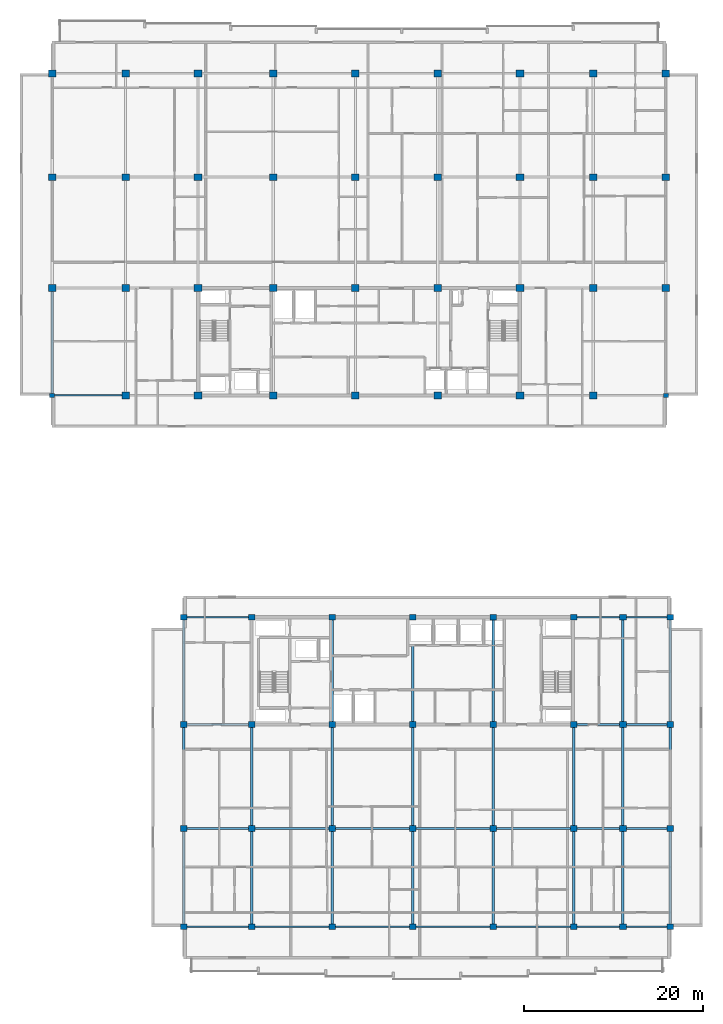
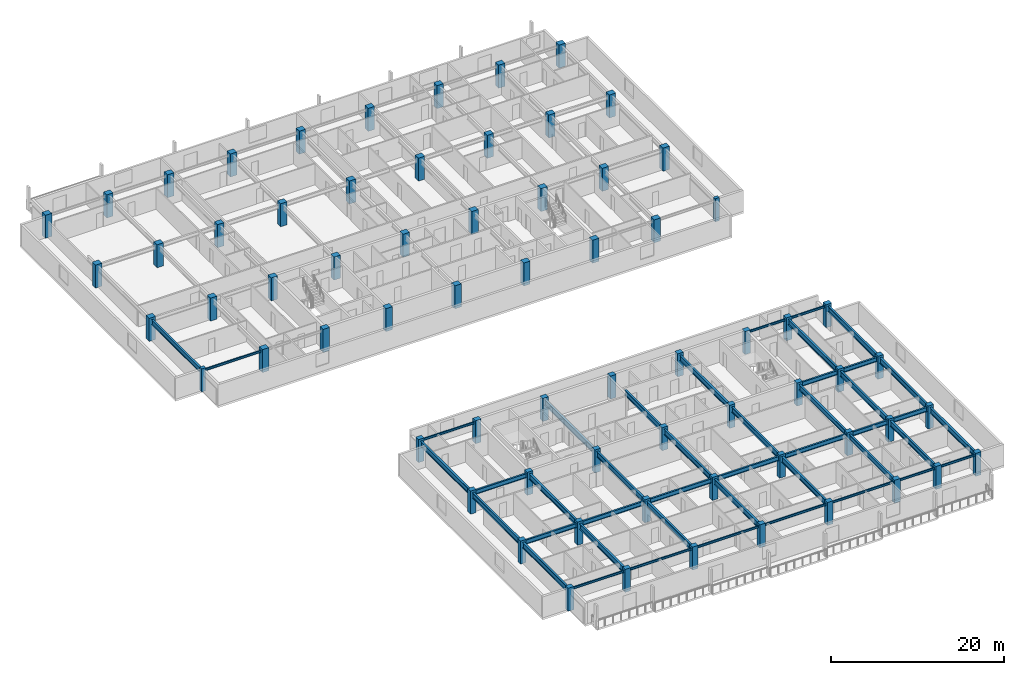
# One storey, part 1 of 21: 68 columns, 44 beams.
"""IFC4 building model written with IfcOpenShell, lengths in metres."""

from ifc_helpers import new_model, si_unit, direction, frame, origin, origin_2d, place, context, subcontext, project, spatial, rectangle, i_section, extrude, material, material_profile, profile_set, type_object, element, save


model = new_model("IFC4")

# Units and contexts
model_context = context("Model", 3, precision=1e-05, world=origin(), true_north=direction((0.0, 1.0)))
body_context = subcontext(model_context, "Body", "Model", "MODEL_VIEW")
ifc_project = project(units=[si_unit("LENGTHUNIT", "METRE"), si_unit("AREAUNIT", "SQUARE_METRE"), si_unit("VOLUMEUNIT", "CUBIC_METRE"), si_unit("PLANEANGLEUNIT", "RADIAN"), si_unit("MASSUNIT", "GRAM", prefix="KILO")], contexts=[model_context])

# Site, building, storey
site_placement = place(None, origin())
site = spatial("IfcSite", under=ifc_project, at=site_placement, CompositionType="ELEMENT")
building_placement = place(site_placement, origin())
building = spatial("IfcBuilding", under=site, at=building_placement, Name="Korimba Cascade Residences", CompositionType="ELEMENT")
storey_placement = place(building_placement, frame((0.0, 0.0, 184.85009765625)))
storey = spatial("IfcBuildingStorey", under=building, at=storey_placement, Name="L53", CompositionType="ELEMENT", Elevation=184.85009765625)

# Columns
ifc_material_1 = material(Name="Concrete C65/80", Category="concrete")
ifc_material_profile_1 = material_profile(ifc_material_1, rectangle(XDim=0.550048828125, YDim=0.449951171875, at=origin_2d()), Name="Concrete C65/80")
ifc_profile_set_1 = profile_set([ifc_material_profile_1], Name="Concrete C65/80")
column_type_1 = type_object("IfcColumnType", Name="COL-PIL-550", PredefinedType="PILASTER", material=ifc_profile_set_1)
for number, where, z_axis, x_axis, name in (
    (1, (59.800048828125, 55.199951171875, 0.0), (0.0, 0.0, 1.0), (1.0, 0.0, 0.0), "L53 Tower 1 Column 1.1"),
    (2, (128.39990234375, 55.199951171875, 0.0), (0.0, 0.0, 1.0), (1.0, 0.0, 0.0), "L53 Tower 1 Column 9.1"),
):
    element("IfcColumn", number, at=place(storey_placement, frame(where, z_axis=z_axis, x_axis=x_axis)), inside=storey, type_object=column_type_1, Name=name, PredefinedType="PILASTER", context=body_context, shape_type="SweptSolid", body=[
        extrude(rectangle(XDim=0.550048828125, YDim=0.449951171875, at=origin_2d()), origin(), (0.0, 0.0, 1.0), 3.25),
    ])
ifc_material_2 = material(Name="Concrete C50/60", Category="concrete")
ifc_material_profile_2 = material_profile(ifc_material_2, rectangle(XDim=0.75, YDim=0.64990234375, at=origin_2d()), Name="Concrete C50/60")
ifc_profile_set_2 = profile_set([ifc_material_profile_2], Name="Concrete C50/60")
column_type_2 = type_object("IfcColumnType", Name="COL-RC-750", PredefinedType="COLUMN", material=ifc_profile_set_2)
for number, where, z_axis, x_axis, name in (
    (3, (74.5, -4.199951171875, 0.0), (0.0, 0.0, 1.0), (1.0, 0.0, 0.0), "L53 Tower 2 Column 1.1"),
    (4, (74.5, 6.800048828125, 0.0), (0.0, 0.0, 1.0), (1.0, 0.0, 0.0), "L53 Tower 2 Column 1.2"),
    (5, (74.5, 18.39990234375, 0.0), (0.0, 0.0, 1.0), (1.0, 0.0, 0.0), "L53 Tower 2 Column 1.3"),
    (6, (74.5, 30.39990234375, 0.0), (0.0, 0.0, 1.0), (1.0, 0.0, 0.0), "L53 Tower 2 Column 1.4"),
    (7, (82.10009765625, -4.199951171875, 0.0), (0.0, 0.0, 1.0), (1.0, 0.0, 0.0), "L53 Tower 2 Column 2.1"),
    (8, (82.10009765625, 6.800048828125, 0.0), (0.0, 0.0, 1.0), (1.0, 0.0, 0.0), "L53 Tower 2 Column 2.2"),
    (9, (82.10009765625, 18.39990234375, 0.0), (0.0, 0.0, 1.0), (1.0, 0.0, 0.0), "L53 Tower 2 Column 2.3"),
    (10, (82.10009765625, 30.39990234375, 0.0), (0.0, 0.0, 1.0), (1.0, 0.0, 0.0), "L53 Tower 2 Column 2.4"),
    (11, (91.10009765625, -4.199951171875, 0.0), (0.0, 0.0, 1.0), (1.0, 0.0, 0.0), "L53 Tower 2 Column 3.1"),
    (12, (91.10009765625, 6.800048828125, 0.0), (0.0, 0.0, 1.0), (1.0, 0.0, 0.0), "L53 Tower 2 Column 3.2"),
    (13, (91.10009765625, 18.39990234375, 0.0), (0.0, 0.0, 1.0), (1.0, 0.0, 0.0), "L53 Tower 2 Column 3.3"),
    (14, (91.10009765625, 30.39990234375, 0.0), (0.0, 0.0, 1.0), (1.0, 0.0, 0.0), "L53 Tower 2 Column 3.4"),
    (15, (100.10009765625, -4.199951171875, 0.0), (0.0, 0.0, 1.0), (1.0, 0.0, 0.0), "L53 Tower 2 Column 4.1"),
    (16, (100.10009765625, 6.800048828125, 0.0), (0.0, 0.0, 1.0), (1.0, 0.0, 0.0), "L53 Tower 2 Column 4.2"),
    (17, (100.10009765625, 18.39990234375, 0.0), (0.0, 0.0, 1.0), (1.0, 0.0, 0.0), "L53 Tower 2 Column 4.3"),
    (18, (100.10009765625, 30.39990234375, 0.0), (0.0, 0.0, 1.0), (1.0, 0.0, 0.0), "L53 Tower 2 Column 4.4"),
    (19, (109.10009765625, -4.199951171875, 0.0), (0.0, 0.0, 1.0), (1.0, 0.0, 0.0), "L53 Tower 2 Column 5.1"),
    (20, (109.10009765625, 6.800048828125, 0.0), (0.0, 0.0, 1.0), (1.0, 0.0, 0.0), "L53 Tower 2 Column 5.2"),
    (21, (109.10009765625, 18.39990234375, 0.0), (0.0, 0.0, 1.0), (1.0, 0.0, 0.0), "L53 Tower 2 Column 5.3"),
    (22, (109.10009765625, 30.39990234375, 0.0), (0.0, 0.0, 1.0), (1.0, 0.0, 0.0), "L53 Tower 2 Column 5.4"),
    (23, (118.10009765625, -4.199951171875, 0.0), (0.0, 0.0, 1.0), (1.0, 0.0, 0.0), "L53 Tower 2 Column 6.1"),
    (24, (118.10009765625, 6.800048828125, 0.0), (0.0, 0.0, 1.0), (1.0, 0.0, 0.0), "L53 Tower 2 Column 6.2"),
    (25, (118.10009765625, 18.39990234375, 0.0), (0.0, 0.0, 1.0), (1.0, 0.0, 0.0), "L53 Tower 2 Column 6.3"),
    (26, (118.10009765625, 30.39990234375, 0.0), (0.0, 0.0, 1.0), (1.0, 0.0, 0.0), "L53 Tower 2 Column 6.4"),
    (27, (123.60009765625, -4.199951171875, 0.0), (0.0, 0.0, 1.0), (1.0, 0.0, 0.0), "L53 Tower 2 Column 7.1"),
    (28, (123.60009765625, 6.800048828125, 0.0), (0.0, 0.0, 1.0), (1.0, 0.0, 0.0), "L53 Tower 2 Column 7.2"),
    (29, (123.60009765625, 18.39990234375, 0.0), (0.0, 0.0, 1.0), (1.0, 0.0, 0.0), "L53 Tower 2 Column 7.3"),
    (30, (123.60009765625, 30.39990234375, 0.0), (0.0, 0.0, 1.0), (1.0, 0.0, 0.0), "L53 Tower 2 Column 7.4"),
    (31, (128.89990234375, -4.199951171875, 0.0), (0.0, 0.0, 1.0), (1.0, 0.0, 0.0), "L53 Tower 2 Column 8.1"),
    (32, (128.89990234375, 6.800048828125, 0.0), (0.0, 0.0, 1.0), (1.0, 0.0, 0.0), "L53 Tower 2 Column 8.2"),
    (33, (128.89990234375, 18.39990234375, 0.0), (0.0, 0.0, 1.0), (1.0, 0.0, 0.0), "L53 Tower 2 Column 8.3"),
    (34, (128.89990234375, 30.39990234375, 0.0), (0.0, 0.0, 1.0), (1.0, 0.0, 0.0), "L53 Tower 2 Column 8.4"),
):
    element("IfcColumn", number, at=place(storey_placement, frame(where, z_axis=z_axis, x_axis=x_axis)), inside=storey, type_object=column_type_2, Name=name, PredefinedType="COLUMN", context=body_context, shape_type="SweptSolid", body=[
        extrude(rectangle(XDim=0.75, YDim=0.64990234375, at=origin_2d()), origin(), (0.0, 0.0, 1.0), 3.25),
    ])
ifc_material_profile_3 = material_profile(ifc_material_1, rectangle(XDim=0.85009765625, YDim=0.75, at=origin_2d()), Name="Concrete C65/80")
ifc_profile_set_3 = profile_set([ifc_material_profile_3], Name="Concrete C65/80")
column_type_3 = type_object("IfcColumnType", Name="COL-RC-850", PredefinedType="COLUMN", material=ifc_profile_set_3)
for number, where, z_axis, x_axis, name in (
    (35, (59.800048828125, 67.199951171875, 0.0), (0.0, 0.0, 1.0), (1.0, 0.0, 0.0), "L53 Tower 1 Column 1.2"),
    (36, (59.800048828125, 79.60009765625, 0.0), (0.0, 0.0, 1.0), (1.0, 0.0, 0.0), "L53 Tower 1 Column 1.3"),
    (37, (59.800048828125, 91.199951171875, 0.0), (0.0, 0.0, 1.0), (1.0, 0.0, 0.0), "L53 Tower 1 Column 1.4"),
    (38, (68.0, 55.199951171875, 0.0), (0.0, 0.0, 1.0), (1.0, 0.0, 0.0), "L53 Tower 1 Column 2.1"),
    (39, (68.0, 67.199951171875, 0.0), (0.0, 0.0, 1.0), (1.0, 0.0, 0.0), "L53 Tower 1 Column 2.2"),
    (40, (68.0, 79.60009765625, 0.0), (0.0, 0.0, 1.0), (1.0, 0.0, 0.0), "L53 Tower 1 Column 2.3"),
    (41, (68.0, 91.199951171875, 0.0), (0.0, 0.0, 1.0), (1.0, 0.0, 0.0), "L53 Tower 1 Column 2.4"),
    (42, (76.10009765625, 55.199951171875, 0.0), (0.0, 0.0, 1.0), (1.0, 0.0, 0.0), "L53 Tower 1 Column 3.1"),
    (43, (76.10009765625, 67.199951171875, 0.0), (0.0, 0.0, 1.0), (1.0, 0.0, 0.0), "L53 Tower 1 Column 3.2"),
    (44, (76.10009765625, 79.60009765625, 0.0), (0.0, 0.0, 1.0), (1.0, 0.0, 0.0), "L53 Tower 1 Column 3.3"),
    (45, (76.10009765625, 91.199951171875, 0.0), (0.0, 0.0, 1.0), (1.0, 0.0, 0.0), "L53 Tower 1 Column 3.4"),
    (46, (84.5, 55.199951171875, 0.0), (0.0, 0.0, 1.0), (1.0, 0.0, 0.0), "L53 Tower 1 Column 4.1"),
    (47, (84.5, 67.199951171875, 0.0), (0.0, 0.0, 1.0), (1.0, 0.0, 0.0), "L53 Tower 1 Column 4.2"),
    (48, (84.5, 79.60009765625, 0.0), (0.0, 0.0, 1.0), (1.0, 0.0, 0.0), "L53 Tower 1 Column 4.3"),
    (49, (84.5, 91.199951171875, 0.0), (0.0, 0.0, 1.0), (1.0, 0.0, 0.0), "L53 Tower 1 Column 4.4"),
    (50, (93.699951171875, 55.199951171875, 0.0), (0.0, 0.0, 1.0), (1.0, 0.0, 0.0), "L53 Tower 1 Column 5.1"),
    (51, (93.699951171875, 67.199951171875, 0.0), (0.0, 0.0, 1.0), (1.0, 0.0, 0.0), "L53 Tower 1 Column 5.2"),
    (52, (93.699951171875, 79.60009765625, 0.0), (0.0, 0.0, 1.0), (1.0, 0.0, 0.0), "L53 Tower 1 Column 5.3"),
    (53, (93.699951171875, 91.199951171875, 0.0), (0.0, 0.0, 1.0), (1.0, 0.0, 0.0), "L53 Tower 1 Column 5.4"),
    (54, (102.89990234375, 55.199951171875, 0.0), (0.0, 0.0, 1.0), (1.0, 0.0, 0.0), "L53 Tower 1 Column 6.1"),
    (55, (102.89990234375, 67.199951171875, 0.0), (0.0, 0.0, 1.0), (1.0, 0.0, 0.0), "L53 Tower 1 Column 6.2"),
    (56, (102.89990234375, 79.60009765625, 0.0), (0.0, 0.0, 1.0), (1.0, 0.0, 0.0), "L53 Tower 1 Column 6.3"),
    (57, (102.89990234375, 91.199951171875, 0.0), (0.0, 0.0, 1.0), (1.0, 0.0, 0.0), "L53 Tower 1 Column 6.4"),
    (58, (112.10009765625, 55.199951171875, 0.0), (0.0, 0.0, 1.0), (1.0, 0.0, 0.0), "L53 Tower 1 Column 7.1"),
    (59, (112.10009765625, 67.199951171875, 0.0), (0.0, 0.0, 1.0), (1.0, 0.0, 0.0), "L53 Tower 1 Column 7.2"),
    (60, (112.10009765625, 79.60009765625, 0.0), (0.0, 0.0, 1.0), (1.0, 0.0, 0.0), "L53 Tower 1 Column 7.3"),
    (61, (112.10009765625, 91.199951171875, 0.0), (0.0, 0.0, 1.0), (1.0, 0.0, 0.0), "L53 Tower 1 Column 7.4"),
    (62, (120.300048828125, 55.199951171875, 0.0), (0.0, 0.0, 1.0), (1.0, 0.0, 0.0), "L53 Tower 1 Column 8.1"),
    (63, (120.300048828125, 67.199951171875, 0.0), (0.0, 0.0, 1.0), (1.0, 0.0, 0.0), "L53 Tower 1 Column 8.2"),
    (64, (120.300048828125, 79.60009765625, 0.0), (0.0, 0.0, 1.0), (1.0, 0.0, 0.0), "L53 Tower 1 Column 8.3"),
    (65, (120.300048828125, 91.199951171875, 0.0), (0.0, 0.0, 1.0), (1.0, 0.0, 0.0), "L53 Tower 1 Column 8.4"),
    (66, (128.39990234375, 67.199951171875, 0.0), (0.0, 0.0, 1.0), (1.0, 0.0, 0.0), "L53 Tower 1 Column 9.2"),
    (67, (128.39990234375, 79.60009765625, 0.0), (0.0, 0.0, 1.0), (1.0, 0.0, 0.0), "L53 Tower 1 Column 9.3"),
    (68, (128.39990234375, 91.199951171875, 0.0), (0.0, 0.0, 1.0), (1.0, 0.0, 0.0), "L53 Tower 1 Column 9.4"),
):
    element("IfcColumn", number, at=place(storey_placement, frame(where, z_axis=z_axis, x_axis=x_axis)), inside=storey, type_object=column_type_3, Name=name, PredefinedType="COLUMN", context=body_context, shape_type="SweptSolid", body=[
        extrude(rectangle(XDim=0.85009765625, YDim=0.75, at=origin_2d()), origin(), (0.0, 0.0, 1.0), 3.25),
    ])

# Beams
ifc_material_3 = material(Name="Steel S355", Category="steel")
ifc_material_profile_4 = material_profile(ifc_material_3, i_section(OverallWidth=0.165771484375, OverallDepth=0.306640625, WebThickness=0.006591796875, FlangeThickness=0.01171875, FilletRadius=0.0087890625, at=origin_2d()), Name="Steel S355")
ifc_profile_set_4 = profile_set([ifc_material_profile_4], Name="Steel S355")
beam_type_1 = type_object("IfcBeamType", Name="BM-STL-UB305", PredefinedType="SPANDREL", material=ifc_profile_set_4)
beam_1_placement = place(storey_placement, frame((60.074951171875, 55.199951171875, 2.816650390625), z_axis=(1.0, 0.0, 0.0), x_axis=(0.0, 1.0, 0.0)))
element("IfcBeam", 69, at=beam_1_placement, inside=storey, type_object=beam_type_1, Name="L53 T1 E-W Girder Y1 Bay 1", PredefinedType="SPANDREL", context=body_context, shape_type="SweptSolid", body=[
    extrude(i_section(OverallWidth=0.165771484375, OverallDepth=0.306640625, WebThickness=0.006591796875, FlangeThickness=0.01171875, FilletRadius=0.0087890625, at=origin_2d()), origin(), (0.0, 0.0, 1.0), 7.5),
])
beam_2_placement = place(storey_placement, frame((74.875, -4.199951171875, 2.816650390625), z_axis=(1.0, 0.0, 0.0), x_axis=(0.0, 1.0, 0.0)))
element("IfcBeam", 70, at=beam_2_placement, inside=storey, type_object=beam_type_1, Name="L53 T2 E-W Girder Y1 Bay 1", PredefinedType="SPANDREL", context=body_context, shape_type="SweptSolid", body=[
    extrude(i_section(OverallWidth=0.165771484375, OverallDepth=0.306640625, WebThickness=0.006591796875, FlangeThickness=0.01171875, FilletRadius=0.0087890625, at=origin_2d()), origin(), (0.0, 0.0, 1.0), 6.85009765625),
])
for number, where, z_axis, x_axis, name in (
    (71, (82.47509765625, -4.199951171875, 2.816650390625), (1.0, 0.0, 0.0), (0.0, 1.0, 0.0), "L53 T2 E-W Girder Y1 Bay 2"),
    (72, (91.47509765625, -4.199951171875, 2.816650390625), (1.0, 0.0, 0.0), (0.0, 1.0, 0.0), "L53 T2 E-W Girder Y1 Bay 3"),
    (73, (100.47509765625, -4.199951171875, 2.816650390625), (1.0, 0.0, 0.0), (0.0, 1.0, 0.0), "L53 T2 E-W Girder Y1 Bay 4"),
    (74, (109.47509765625, -4.199951171875, 2.816650390625), (1.0, 0.0, 0.0), (0.0, 1.0, 0.0), "L53 T2 E-W Girder Y1 Bay 5"),
):
    element("IfcBeam", number, at=place(storey_placement, frame(where, z_axis=z_axis, x_axis=x_axis)), inside=storey, type_object=beam_type_1, Name=name, PredefinedType="SPANDREL", context=body_context, shape_type="SweptSolid", body=[
        extrude(i_section(OverallWidth=0.165771484375, OverallDepth=0.306640625, WebThickness=0.006591796875, FlangeThickness=0.01171875, FilletRadius=0.0087890625, at=origin_2d()), origin(), (0.0, 0.0, 1.0), 8.25),
    ])
beam_3_placement = place(storey_placement, frame((118.47509765625, -4.199951171875, 2.816650390625), z_axis=(1.0, 0.0, 0.0), x_axis=(0.0, 1.0, 0.0)))
element("IfcBeam", 75, at=beam_3_placement, inside=storey, type_object=beam_type_1, Name="L53 T2 E-W Girder Y1 Bay 6", PredefinedType="SPANDREL", context=body_context, shape_type="SweptSolid", body=[
    extrude(i_section(OverallWidth=0.165771484375, OverallDepth=0.306640625, WebThickness=0.006591796875, FlangeThickness=0.01171875, FilletRadius=0.0087890625, at=origin_2d()), origin(), (0.0, 0.0, 1.0), 4.75),
])
beam_4_placement = place(storey_placement, frame((123.97509765625, -4.199951171875, 2.816650390625), z_axis=(1.0, 0.0, 0.0), x_axis=(0.0, 1.0, 0.0)))
element("IfcBeam", 76, at=beam_4_placement, inside=storey, type_object=beam_type_1, Name="L53 T2 E-W Girder Y1 Bay 7", PredefinedType="SPANDREL", context=body_context, shape_type="SweptSolid", body=[
    extrude(i_section(OverallWidth=0.165771484375, OverallDepth=0.306640625, WebThickness=0.006591796875, FlangeThickness=0.01171875, FilletRadius=0.0087890625, at=origin_2d()), origin(), (0.0, 0.0, 1.0), 4.5498046875),
])
beam_5_placement = place(storey_placement, frame((74.875, 30.39990234375, 2.816650390625), z_axis=(1.0, 0.0, 0.0), x_axis=(0.0, 1.0, 0.0)))
element("IfcBeam", 77, at=beam_5_placement, inside=storey, type_object=beam_type_1, Name="L53 T2 E-W Girder Y4 Bay 1", PredefinedType="SPANDREL", context=body_context, shape_type="SweptSolid", body=[
    extrude(i_section(OverallWidth=0.165771484375, OverallDepth=0.306640625, WebThickness=0.006591796875, FlangeThickness=0.01171875, FilletRadius=0.0087890625, at=origin_2d()), origin(), (0.0, 0.0, 1.0), 6.85009765625),
])
beam_6_placement = place(storey_placement, frame((118.47509765625, 30.39990234375, 2.816650390625), z_axis=(1.0, 0.0, 0.0), x_axis=(0.0, 1.0, 0.0)))
element("IfcBeam", 78, at=beam_6_placement, inside=storey, type_object=beam_type_1, Name="L53 T2 E-W Girder Y4 Bay 6", PredefinedType="SPANDREL", context=body_context, shape_type="SweptSolid", body=[
    extrude(i_section(OverallWidth=0.165771484375, OverallDepth=0.306640625, WebThickness=0.006591796875, FlangeThickness=0.01171875, FilletRadius=0.0087890625, at=origin_2d()), origin(), (0.0, 0.0, 1.0), 4.75),
])
beam_7_placement = place(storey_placement, frame((123.97509765625, 30.39990234375, 2.816650390625), z_axis=(1.0, 0.0, 0.0), x_axis=(0.0, 1.0, 0.0)))
element("IfcBeam", 79, at=beam_7_placement, inside=storey, type_object=beam_type_1, Name="L53 T2 E-W Girder Y4 Bay 7", PredefinedType="SPANDREL", context=body_context, shape_type="SweptSolid", body=[
    extrude(i_section(OverallWidth=0.165771484375, OverallDepth=0.306640625, WebThickness=0.006591796875, FlangeThickness=0.01171875, FilletRadius=0.0087890625, at=origin_2d()), origin(), (0.0, 0.0, 1.0), 4.5498046875),
])
ifc_material_profile_5 = material_profile(ifc_material_3, i_section(OverallWidth=0.22900390625, OverallDepth=0.6123046875, WebThickness=0.011962890625, FlangeThickness=0.01953125, FilletRadius=0.0126953125, at=origin_2d()), Name="Steel S355")
ifc_profile_set_5 = profile_set([ifc_material_profile_5], Name="Steel S355")
beam_type_2 = type_object("IfcBeamType", Name="BM-STL-UB610B", PredefinedType="BEAM", material=ifc_profile_set_5)
beam_8_placement = place(storey_placement, frame((74.875, 6.800048828125, 2.663818359375), z_axis=(1.0, 0.0, 0.0), x_axis=(0.0, 1.0, 0.0)))
element("IfcBeam", 80, at=beam_8_placement, inside=storey, type_object=beam_type_2, Name="L53 T2 E-W Girder Y2 Bay 1", PredefinedType="BEAM", context=body_context, shape_type="SweptSolid", body=[
    extrude(i_section(OverallWidth=0.22900390625, OverallDepth=0.6123046875, WebThickness=0.011962890625, FlangeThickness=0.01953125, FilletRadius=0.0126953125, at=origin_2d()), origin(), (0.0, 0.0, 1.0), 6.85009765625),
])
for number, where, z_axis, x_axis, name in (
    (81, (82.47509765625, 6.800048828125, 2.663818359375), (1.0, 0.0, 0.0), (0.0, 1.0, 0.0), "L53 T2 E-W Girder Y2 Bay 2"),
    (82, (91.47509765625, 6.800048828125, 2.663818359375), (1.0, 0.0, 0.0), (0.0, 1.0, 0.0), "L53 T2 E-W Girder Y2 Bay 3"),
    (83, (100.47509765625, 6.800048828125, 2.663818359375), (1.0, 0.0, 0.0), (0.0, 1.0, 0.0), "L53 T2 E-W Girder Y2 Bay 4"),
    (84, (109.47509765625, 6.800048828125, 2.663818359375), (1.0, 0.0, 0.0), (0.0, 1.0, 0.0), "L53 T2 E-W Girder Y2 Bay 5"),
):
    element("IfcBeam", number, at=place(storey_placement, frame(where, z_axis=z_axis, x_axis=x_axis)), inside=storey, type_object=beam_type_2, Name=name, PredefinedType="BEAM", context=body_context, shape_type="SweptSolid", body=[
        extrude(i_section(OverallWidth=0.22900390625, OverallDepth=0.6123046875, WebThickness=0.011962890625, FlangeThickness=0.01953125, FilletRadius=0.0126953125, at=origin_2d()), origin(), (0.0, 0.0, 1.0), 8.25),
    ])
beam_9_placement = place(storey_placement, frame((118.47509765625, 6.800048828125, 2.663818359375), z_axis=(1.0, 0.0, 0.0), x_axis=(0.0, 1.0, 0.0)))
element("IfcBeam", 85, at=beam_9_placement, inside=storey, type_object=beam_type_2, Name="L53 T2 E-W Girder Y2 Bay 6", PredefinedType="BEAM", context=body_context, shape_type="SweptSolid", body=[
    extrude(i_section(OverallWidth=0.22900390625, OverallDepth=0.6123046875, WebThickness=0.011962890625, FlangeThickness=0.01953125, FilletRadius=0.0126953125, at=origin_2d()), origin(), (0.0, 0.0, 1.0), 4.75),
])
beam_10_placement = place(storey_placement, frame((123.97509765625, 6.800048828125, 2.663818359375), z_axis=(1.0, 0.0, 0.0), x_axis=(0.0, 1.0, 0.0)))
element("IfcBeam", 86, at=beam_10_placement, inside=storey, type_object=beam_type_2, Name="L53 T2 E-W Girder Y2 Bay 7", PredefinedType="BEAM", context=body_context, shape_type="SweptSolid", body=[
    extrude(i_section(OverallWidth=0.22900390625, OverallDepth=0.6123046875, WebThickness=0.011962890625, FlangeThickness=0.01953125, FilletRadius=0.0126953125, at=origin_2d()), origin(), (0.0, 0.0, 1.0), 4.5498046875),
])
beam_11_placement = place(storey_placement, frame((74.875, 18.39990234375, 2.663818359375), z_axis=(1.0, 0.0, 0.0), x_axis=(0.0, 1.0, 0.0)))
element("IfcBeam", 87, at=beam_11_placement, inside=storey, type_object=beam_type_2, Name="L53 T2 E-W Girder Y3 Bay 1", PredefinedType="BEAM", context=body_context, shape_type="SweptSolid", body=[
    extrude(i_section(OverallWidth=0.22900390625, OverallDepth=0.6123046875, WebThickness=0.011962890625, FlangeThickness=0.01953125, FilletRadius=0.0126953125, at=origin_2d()), origin(), (0.0, 0.0, 1.0), 6.85009765625),
])
beam_12_placement = place(storey_placement, frame((118.47509765625, 18.39990234375, 2.663818359375), z_axis=(1.0, 0.0, 0.0), x_axis=(0.0, 1.0, 0.0)))
element("IfcBeam", 88, at=beam_12_placement, inside=storey, type_object=beam_type_2, Name="L53 T2 E-W Girder Y3 Bay 6", PredefinedType="BEAM", context=body_context, shape_type="SweptSolid", body=[
    extrude(i_section(OverallWidth=0.22900390625, OverallDepth=0.6123046875, WebThickness=0.011962890625, FlangeThickness=0.01953125, FilletRadius=0.0126953125, at=origin_2d()), origin(), (0.0, 0.0, 1.0), 4.75),
])
beam_13_placement = place(storey_placement, frame((123.97509765625, 18.39990234375, 2.663818359375), z_axis=(1.0, 0.0, 0.0), x_axis=(0.0, 1.0, 0.0)))
element("IfcBeam", 89, at=beam_13_placement, inside=storey, type_object=beam_type_2, Name="L53 T2 E-W Girder Y3 Bay 7", PredefinedType="BEAM", context=body_context, shape_type="SweptSolid", body=[
    extrude(i_section(OverallWidth=0.22900390625, OverallDepth=0.6123046875, WebThickness=0.011962890625, FlangeThickness=0.01953125, FilletRadius=0.0126953125, at=origin_2d()), origin(), (0.0, 0.0, 1.0), 4.5498046875),
])
ifc_material_profile_6 = material_profile(ifc_material_3, i_section(OverallWidth=0.255859375, OverallDepth=0.69287109375, WebThickness=0.014404296875, FlangeThickness=0.023681640625, FilletRadius=0.01513671875, at=origin_2d()), Name="Steel S355")
ifc_profile_set_6 = profile_set([ifc_material_profile_6], Name="Steel S355")
beam_type_3 = type_object("IfcBeamType", Name="BM-STL-UB686", PredefinedType="BEAM", material=ifc_profile_set_6)
beam_14_placement = place(storey_placement, frame((59.800048828125, 55.425048828125, 2.623291015625), z_axis=(0.0, 1.0, 0.0), x_axis=(-1.0, 0.0, 0.0)))
element("IfcBeam", 90, at=beam_14_placement, inside=storey, type_object=beam_type_3, Name="L53 T1 N-S Girder X1 Seg 1", PredefinedType="BEAM", context=body_context, shape_type="SweptSolid", body=[
    extrude(i_section(OverallWidth=0.255859375, OverallDepth=0.69287109375, WebThickness=0.014404296875, FlangeThickness=0.023681640625, FilletRadius=0.01513671875, at=origin_2d()), origin(), (0.0, 0.0, 1.0), 11.39990234375),
])
ifc_material_profile_7 = material_profile(ifc_material_3, i_section(OverallWidth=0.26806640625, OverallDepth=0.769775390625, WebThickness=0.015625, FlangeThickness=0.025390625, FilletRadius=0.0166015625, at=origin_2d()), Name="Steel S355")
ifc_profile_set_7 = profile_set([ifc_material_profile_7], Name="Steel S355")
beam_type_4 = type_object("IfcBeamType", Name="BM-STL-UB762", PredefinedType="BEAM", material=ifc_profile_set_7)
beam_15_placement = place(storey_placement, frame((74.5, -3.875, 2.5849609375), z_axis=(0.0, 1.0, 0.0), x_axis=(-1.0, 0.0, 0.0)))
element("IfcBeam", 91, at=beam_15_placement, inside=storey, type_object=beam_type_4, Name="L53 T2 N-S Girder X1 Seg 1", PredefinedType="BEAM", context=body_context, shape_type="SweptSolid", body=[
    extrude(i_section(OverallWidth=0.26806640625, OverallDepth=0.769775390625, WebThickness=0.015625, FlangeThickness=0.025390625, FilletRadius=0.0166015625, at=origin_2d()), origin(), (0.0, 0.0, 1.0), 10.35009765625),
])
beam_16_placement = place(storey_placement, frame((74.5, 7.125, 2.5849609375), z_axis=(0.0, 1.0, 0.0), x_axis=(-1.0, 0.0, 0.0)))
element("IfcBeam", 92, at=beam_16_placement, inside=storey, type_object=beam_type_4, Name="L53 T2 N-S Girder X1 Seg 2", PredefinedType="BEAM", context=body_context, shape_type="SweptSolid", body=[
    extrude(i_section(OverallWidth=0.26806640625, OverallDepth=0.769775390625, WebThickness=0.015625, FlangeThickness=0.025390625, FilletRadius=0.0166015625, at=origin_2d()), origin(), (0.0, 0.0, 1.0), 10.949951171875),
])
beam_17_placement = place(storey_placement, frame((74.5, 18.72509765625, 2.5849609375), z_axis=(0.0, 1.0, 0.0), x_axis=(-1.0, 0.0, 0.0)))
element("IfcBeam", 93, at=beam_17_placement, inside=storey, type_object=beam_type_4, Name="L53 T2 N-S Girder X1 Seg 3", PredefinedType="BEAM", context=body_context, shape_type="SweptSolid", body=[
    extrude(i_section(OverallWidth=0.26806640625, OverallDepth=0.769775390625, WebThickness=0.015625, FlangeThickness=0.025390625, FilletRadius=0.0166015625, at=origin_2d()), origin(), (0.0, 0.0, 1.0), 11.349853515625),
])
beam_18_placement = place(storey_placement, frame((82.10009765625, -3.875, 2.5849609375), z_axis=(0.0, 1.0, 0.0), x_axis=(-1.0, 0.0, 0.0)))
element("IfcBeam", 94, at=beam_18_placement, inside=storey, type_object=beam_type_4, Name="L53 T2 N-S Girder X2 Seg 1", PredefinedType="BEAM", context=body_context, shape_type="SweptSolid", body=[
    extrude(i_section(OverallWidth=0.26806640625, OverallDepth=0.769775390625, WebThickness=0.015625, FlangeThickness=0.025390625, FilletRadius=0.0166015625, at=origin_2d()), origin(), (0.0, 0.0, 1.0), 10.35009765625),
])
beam_19_placement = place(storey_placement, frame((82.10009765625, 7.125, 2.5849609375), z_axis=(0.0, 1.0, 0.0), x_axis=(-1.0, 0.0, 0.0)))
element("IfcBeam", 95, at=beam_19_placement, inside=storey, type_object=beam_type_4, Name="L53 T2 N-S Girder X2 Seg 2", PredefinedType="BEAM", context=body_context, shape_type="SweptSolid", body=[
    extrude(i_section(OverallWidth=0.26806640625, OverallDepth=0.769775390625, WebThickness=0.015625, FlangeThickness=0.025390625, FilletRadius=0.0166015625, at=origin_2d()), origin(), (0.0, 0.0, 1.0), 10.949951171875),
])
beam_20_placement = place(storey_placement, frame((91.10009765625, -3.875, 2.5849609375), z_axis=(0.0, 1.0, 0.0), x_axis=(-1.0, 0.0, 0.0)))
element("IfcBeam", 96, at=beam_20_placement, inside=storey, type_object=beam_type_4, Name="L53 T2 N-S Girder X3 Seg 1", PredefinedType="BEAM", context=body_context, shape_type="SweptSolid", body=[
    extrude(i_section(OverallWidth=0.26806640625, OverallDepth=0.769775390625, WebThickness=0.015625, FlangeThickness=0.025390625, FilletRadius=0.0166015625, at=origin_2d()), origin(), (0.0, 0.0, 1.0), 10.35009765625),
])
beam_21_placement = place(storey_placement, frame((91.10009765625, 7.125, 2.5849609375), z_axis=(0.0, 1.0, 0.0), x_axis=(-1.0, 0.0, 0.0)))
element("IfcBeam", 97, at=beam_21_placement, inside=storey, type_object=beam_type_4, Name="L53 T2 N-S Girder X3 Seg 2", PredefinedType="BEAM", context=body_context, shape_type="SweptSolid", body=[
    extrude(i_section(OverallWidth=0.26806640625, OverallDepth=0.769775390625, WebThickness=0.015625, FlangeThickness=0.025390625, FilletRadius=0.0166015625, at=origin_2d()), origin(), (0.0, 0.0, 1.0), 10.949951171875),
])
beam_22_placement = place(storey_placement, frame((91.10009765625, 18.72509765625, 2.5849609375), z_axis=(0.0, 1.0, 0.0), x_axis=(-1.0, 0.0, 0.0)))
element("IfcBeam", 98, at=beam_22_placement, inside=storey, type_object=beam_type_4, Name="L53 T2 N-S Girder X3 Seg 3", PredefinedType="BEAM", context=body_context, shape_type="SweptSolid", body=[
    extrude(i_section(OverallWidth=0.26806640625, OverallDepth=0.769775390625, WebThickness=0.015625, FlangeThickness=0.025390625, FilletRadius=0.0166015625, at=origin_2d()), origin(), (0.0, 0.0, 1.0), 11.349853515625),
])
beam_23_placement = place(storey_placement, frame((100.10009765625, -3.875, 2.5849609375), z_axis=(0.0, 1.0, 0.0), x_axis=(-1.0, 0.0, 0.0)))
element("IfcBeam", 99, at=beam_23_placement, inside=storey, type_object=beam_type_4, Name="L53 T2 N-S Girder X4 Seg 1", PredefinedType="BEAM", context=body_context, shape_type="SweptSolid", body=[
    extrude(i_section(OverallWidth=0.26806640625, OverallDepth=0.769775390625, WebThickness=0.015625, FlangeThickness=0.025390625, FilletRadius=0.0166015625, at=origin_2d()), origin(), (0.0, 0.0, 1.0), 10.35009765625),
])
beam_24_placement = place(storey_placement, frame((100.10009765625, 7.125, 2.5849609375), z_axis=(0.0, 1.0, 0.0), x_axis=(-1.0, 0.0, 0.0)))
element("IfcBeam", 100, at=beam_24_placement, inside=storey, type_object=beam_type_4, Name="L53 T2 N-S Girder X4 Seg 2", PredefinedType="BEAM", context=body_context, shape_type="SweptSolid", body=[
    extrude(i_section(OverallWidth=0.26806640625, OverallDepth=0.769775390625, WebThickness=0.015625, FlangeThickness=0.025390625, FilletRadius=0.0166015625, at=origin_2d()), origin(), (0.0, 0.0, 1.0), 10.949951171875),
])
beam_25_placement = place(storey_placement, frame((100.10009765625, 18.72509765625, 2.5849609375), z_axis=(0.0, 1.0, 0.0), x_axis=(-1.0, 0.0, 0.0)))
element("IfcBeam", 101, at=beam_25_placement, inside=storey, type_object=beam_type_4, Name="L53 T2 N-S Girder X4 Seg 3", PredefinedType="BEAM", context=body_context, shape_type="SweptSolid", body=[
    extrude(i_section(OverallWidth=0.26806640625, OverallDepth=0.769775390625, WebThickness=0.015625, FlangeThickness=0.025390625, FilletRadius=0.0166015625, at=origin_2d()), origin(), (0.0, 0.0, 1.0), 8.614990234375),
])
beam_26_placement = place(storey_placement, frame((109.10009765625, -3.875, 2.5849609375), z_axis=(0.0, 1.0, 0.0), x_axis=(-1.0, 0.0, 0.0)))
element("IfcBeam", 102, at=beam_26_placement, inside=storey, type_object=beam_type_4, Name="L53 T2 N-S Girder X5 Seg 1", PredefinedType="BEAM", context=body_context, shape_type="SweptSolid", body=[
    extrude(i_section(OverallWidth=0.26806640625, OverallDepth=0.769775390625, WebThickness=0.015625, FlangeThickness=0.025390625, FilletRadius=0.0166015625, at=origin_2d()), origin(), (0.0, 0.0, 1.0), 10.35009765625),
])
beam_27_placement = place(storey_placement, frame((109.10009765625, 7.125, 2.5849609375), z_axis=(0.0, 1.0, 0.0), x_axis=(-1.0, 0.0, 0.0)))
element("IfcBeam", 103, at=beam_27_placement, inside=storey, type_object=beam_type_4, Name="L53 T2 N-S Girder X5 Seg 2", PredefinedType="BEAM", context=body_context, shape_type="SweptSolid", body=[
    extrude(i_section(OverallWidth=0.26806640625, OverallDepth=0.769775390625, WebThickness=0.015625, FlangeThickness=0.025390625, FilletRadius=0.0166015625, at=origin_2d()), origin(), (0.0, 0.0, 1.0), 10.949951171875),
])
beam_28_placement = place(storey_placement, frame((109.10009765625, 18.72509765625, 2.5849609375), z_axis=(0.0, 1.0, 0.0), x_axis=(-1.0, 0.0, 0.0)))
element("IfcBeam", 104, at=beam_28_placement, inside=storey, type_object=beam_type_4, Name="L53 T2 N-S Girder X5 Seg 3", PredefinedType="BEAM", context=body_context, shape_type="SweptSolid", body=[
    extrude(i_section(OverallWidth=0.26806640625, OverallDepth=0.769775390625, WebThickness=0.015625, FlangeThickness=0.025390625, FilletRadius=0.0166015625, at=origin_2d()), origin(), (0.0, 0.0, 1.0), 11.349853515625),
])
beam_29_placement = place(storey_placement, frame((118.10009765625, -3.875, 2.5849609375), z_axis=(0.0, 1.0, 0.0), x_axis=(-1.0, 0.0, 0.0)))
element("IfcBeam", 105, at=beam_29_placement, inside=storey, type_object=beam_type_4, Name="L53 T2 N-S Girder X6 Seg 1", PredefinedType="BEAM", context=body_context, shape_type="SweptSolid", body=[
    extrude(i_section(OverallWidth=0.26806640625, OverallDepth=0.769775390625, WebThickness=0.015625, FlangeThickness=0.025390625, FilletRadius=0.0166015625, at=origin_2d()), origin(), (0.0, 0.0, 1.0), 10.35009765625),
])
beam_30_placement = place(storey_placement, frame((118.10009765625, 7.125, 2.5849609375), z_axis=(0.0, 1.0, 0.0), x_axis=(-1.0, 0.0, 0.0)))
element("IfcBeam", 106, at=beam_30_placement, inside=storey, type_object=beam_type_4, Name="L53 T2 N-S Girder X6 Seg 2", PredefinedType="BEAM", context=body_context, shape_type="SweptSolid", body=[
    extrude(i_section(OverallWidth=0.26806640625, OverallDepth=0.769775390625, WebThickness=0.015625, FlangeThickness=0.025390625, FilletRadius=0.0166015625, at=origin_2d()), origin(), (0.0, 0.0, 1.0), 10.949951171875),
])
beam_31_placement = place(storey_placement, frame((123.60009765625, -3.875, 2.5849609375), z_axis=(0.0, 1.0, 0.0), x_axis=(-1.0, 0.0, 0.0)))
element("IfcBeam", 107, at=beam_31_placement, inside=storey, type_object=beam_type_4, Name="L53 T2 N-S Girder X7 Seg 1", PredefinedType="BEAM", context=body_context, shape_type="SweptSolid", body=[
    extrude(i_section(OverallWidth=0.26806640625, OverallDepth=0.769775390625, WebThickness=0.015625, FlangeThickness=0.025390625, FilletRadius=0.0166015625, at=origin_2d()), origin(), (0.0, 0.0, 1.0), 10.35009765625),
])
beam_32_placement = place(storey_placement, frame((123.60009765625, 7.125, 2.5849609375), z_axis=(0.0, 1.0, 0.0), x_axis=(-1.0, 0.0, 0.0)))
element("IfcBeam", 108, at=beam_32_placement, inside=storey, type_object=beam_type_4, Name="L53 T2 N-S Girder X7 Seg 2", PredefinedType="BEAM", context=body_context, shape_type="SweptSolid", body=[
    extrude(i_section(OverallWidth=0.26806640625, OverallDepth=0.769775390625, WebThickness=0.015625, FlangeThickness=0.025390625, FilletRadius=0.0166015625, at=origin_2d()), origin(), (0.0, 0.0, 1.0), 10.949951171875),
])
beam_33_placement = place(storey_placement, frame((123.60009765625, 18.72509765625, 2.5849609375), z_axis=(0.0, 1.0, 0.0), x_axis=(-1.0, 0.0, 0.0)))
element("IfcBeam", 109, at=beam_33_placement, inside=storey, type_object=beam_type_4, Name="L53 T2 N-S Girder X7 Seg 3", PredefinedType="BEAM", context=body_context, shape_type="SweptSolid", body=[
    extrude(i_section(OverallWidth=0.26806640625, OverallDepth=0.769775390625, WebThickness=0.015625, FlangeThickness=0.025390625, FilletRadius=0.0166015625, at=origin_2d()), origin(), (0.0, 0.0, 1.0), 11.349853515625),
])
beam_34_placement = place(storey_placement, frame((128.89990234375, -3.875, 2.5849609375), z_axis=(0.0, 1.0, 0.0), x_axis=(-1.0, 0.0, 0.0)))
element("IfcBeam", 110, at=beam_34_placement, inside=storey, type_object=beam_type_4, Name="L53 T2 N-S Girder X8 Seg 1", PredefinedType="BEAM", context=body_context, shape_type="SweptSolid", body=[
    extrude(i_section(OverallWidth=0.26806640625, OverallDepth=0.769775390625, WebThickness=0.015625, FlangeThickness=0.025390625, FilletRadius=0.0166015625, at=origin_2d()), origin(), (0.0, 0.0, 1.0), 10.35009765625),
])
beam_35_placement = place(storey_placement, frame((128.89990234375, 7.125, 2.5849609375), z_axis=(0.0, 1.0, 0.0), x_axis=(-1.0, 0.0, 0.0)))
element("IfcBeam", 111, at=beam_35_placement, inside=storey, type_object=beam_type_4, Name="L53 T2 N-S Girder X8 Seg 2", PredefinedType="BEAM", context=body_context, shape_type="SweptSolid", body=[
    extrude(i_section(OverallWidth=0.26806640625, OverallDepth=0.769775390625, WebThickness=0.015625, FlangeThickness=0.025390625, FilletRadius=0.0166015625, at=origin_2d()), origin(), (0.0, 0.0, 1.0), 10.949951171875),
])
beam_36_placement = place(storey_placement, frame((128.89990234375, 18.72509765625, 2.5849609375), z_axis=(0.0, 1.0, 0.0), x_axis=(-1.0, 0.0, 0.0)))
element("IfcBeam", 112, at=beam_36_placement, inside=storey, type_object=beam_type_4, Name="L53 T2 N-S Girder X8 Seg 3", PredefinedType="BEAM", context=body_context, shape_type="SweptSolid", body=[
    extrude(i_section(OverallWidth=0.26806640625, OverallDepth=0.769775390625, WebThickness=0.015625, FlangeThickness=0.025390625, FilletRadius=0.0166015625, at=origin_2d()), origin(), (0.0, 0.0, 1.0), 11.349853515625),
])

save(model, "model.ifc")
